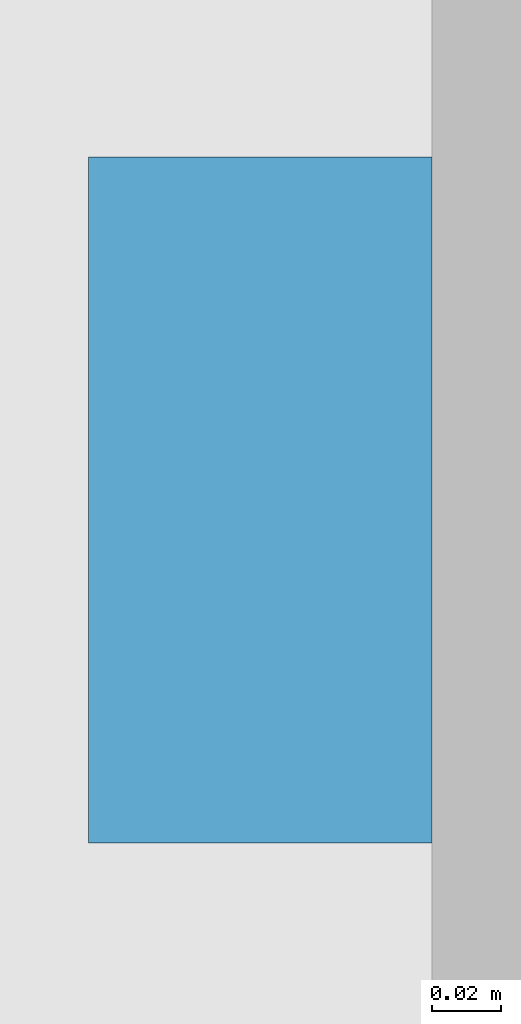
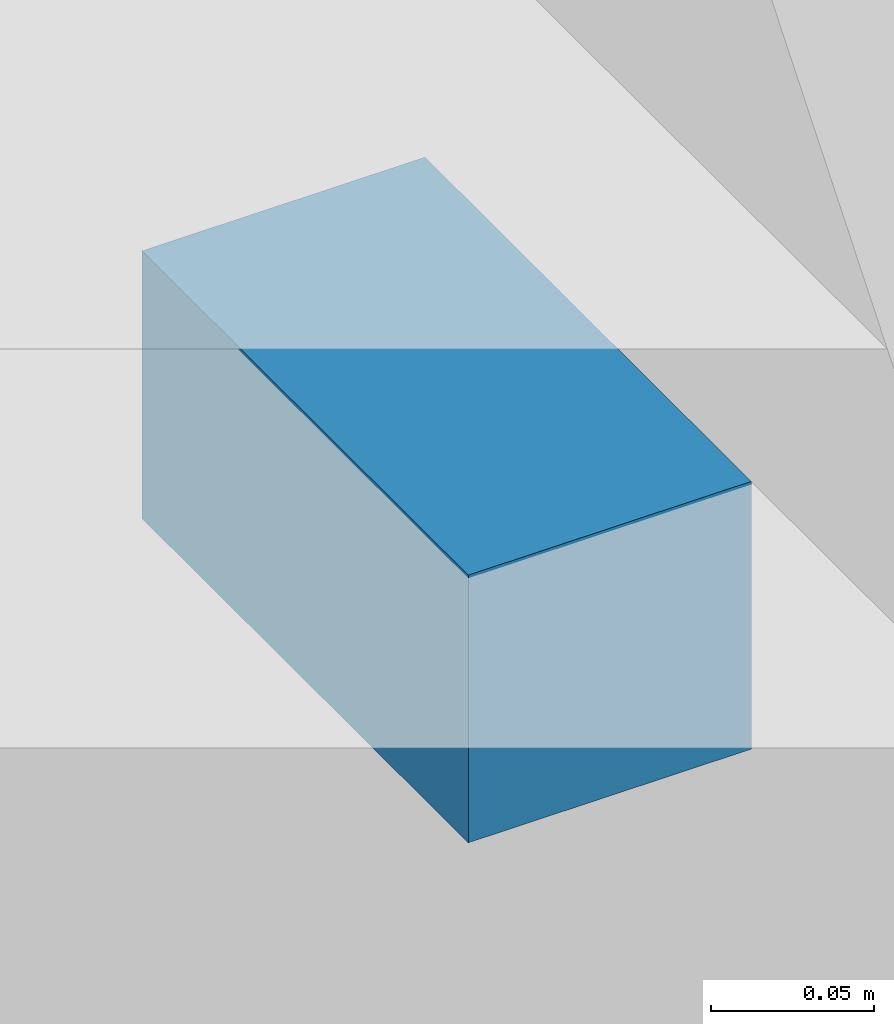
# One storey, part 15 of 17: 1 discrete accessory.
"""IFC4 building model written with IfcOpenShell, lengths in metres."""

from ifc_helpers import new_model, si_unit, direction, frame, origin, origin_2d, place, context, subcontext, project, spatial, rectangle, extrude, element, save


model = new_model("IFC4")

# Units and contexts
model_context = context("Model", 3, precision=1e-05, world=origin(), true_north=direction((0.0, 1.0)))
body_context = subcontext(model_context, "Body", "Model", "MODEL_VIEW")
ifc_project = project(units=[si_unit("LENGTHUNIT", "METRE"), si_unit("AREAUNIT", "SQUARE_METRE"), si_unit("VOLUMEUNIT", "CUBIC_METRE"), si_unit("PLANEANGLEUNIT", "RADIAN"), si_unit("MASSUNIT", "GRAM", prefix="KILO")], contexts=[model_context])

# Site, building, storey
site_placement = place(None, origin())
site = spatial("IfcSite", under=ifc_project, at=site_placement, CompositionType="ELEMENT")
building_placement = place(site_placement, origin())
building = spatial("IfcBuilding", under=site, at=building_placement, Name="Calvaro Tower", CompositionType="ELEMENT")
storey_placement = place(building_placement, frame((0.0, 0.0, 204.25)))
storey = spatial("IfcBuildingStorey", under=building, at=storey_placement, Name="L51", CompositionType="ELEMENT", Elevation=204.25)

# Discrete accessory
discrete_accessory_placement = place(storey_placement, frame((65.5, 3.60009765625, 2.349853515625), z_axis=(0.0, 0.0, 1.0), x_axis=(1.0, 0.0, 0.0)))
element("IfcDiscreteAccessory", 1, at=discrete_accessory_placement, inside=storey, Name="Brise-soleil bracket", PredefinedType="BRACKET", context=body_context, shape_type="SweptSolid", body=[
    extrude(rectangle(XDim=0.10009765625, YDim=0.199951171875, at=origin_2d()), origin(), (0.0, 0.0, 1.0), 0.10009765625),
])

save(model, "model.ifc")
